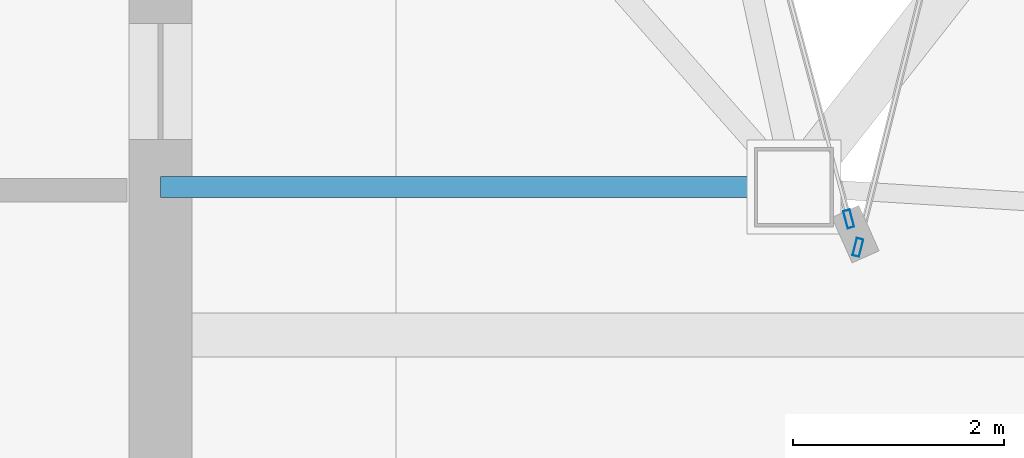
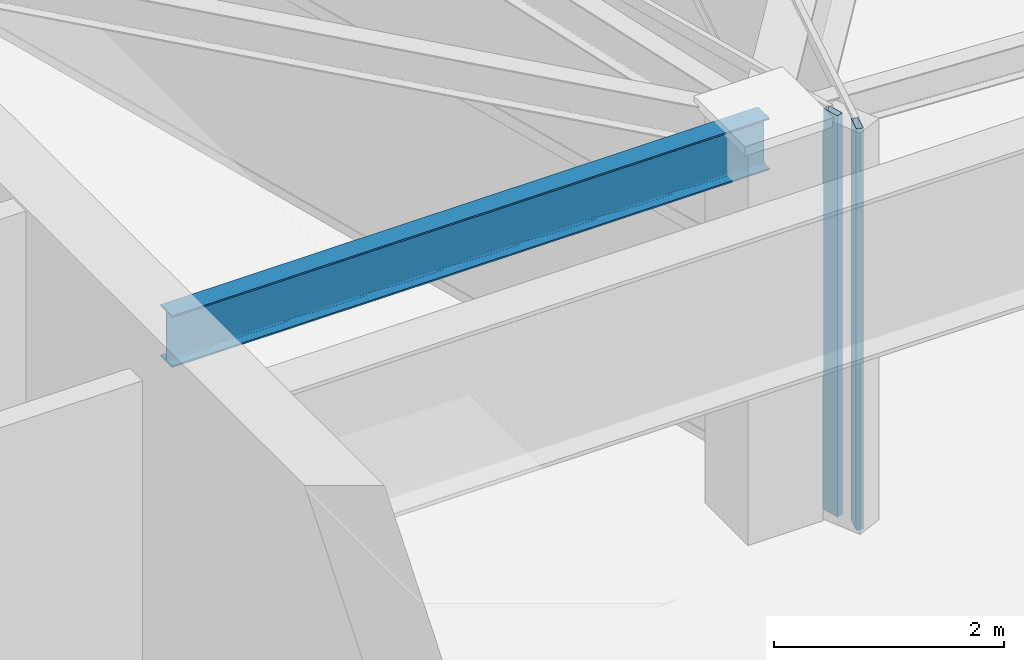
# One storey, part 10 of 25: 2 members, 1 beam, 2 elements without a shape of their own.
"""IFC4 building model written with IfcOpenShell, lengths in metres."""

from ifc_helpers import new_model, si_unit, direction, frame, origin, origin_2d, place, context, subcontext, project, spatial, hollow_rectangle, i_section, extrude, material, layer, layer_set, material_profile, profile_set, type_object, element, aggregate, save


model = new_model("IFC4")

# Units and contexts
model_context = context("Model", 3, precision=1e-05, world=origin(), true_north=direction((0.0, 1.0)))
body_context = subcontext(model_context, "Body", "Model", "MODEL_VIEW")
ifc_project = project(units=[si_unit("LENGTHUNIT", "METRE"), si_unit("AREAUNIT", "SQUARE_METRE"), si_unit("VOLUMEUNIT", "CUBIC_METRE"), si_unit("PLANEANGLEUNIT", "RADIAN"), si_unit("MASSUNIT", "GRAM", prefix="KILO")], contexts=[model_context])

# Site, building, storey
site_placement = place(None, origin())
site = spatial("IfcSite", under=ifc_project, at=site_placement, CompositionType="ELEMENT")
building_placement = place(site_placement, origin())
building = spatial("IfcBuilding", under=site, at=building_placement, Name="Calvorn Quay Hotel", CompositionType="ELEMENT")
storey_placement = place(building_placement, frame((0.0, 0.0, 316.0)))
storey = spatial("IfcBuildingStorey", under=building, at=storey_placement, Name="L78", CompositionType="ELEMENT", Elevation=316.0)

# Beam
ifc_material_1 = material(Name="Steel Q355B", Category="steel")
ifc_material_profile_1 = material_profile(ifc_material_1, i_section(OverallWidth=0.199951171875, OverallDepth=0.550048828125, WebThickness=0.010009765625, FlangeThickness=0.01611328125, FilletRadius=0.01806640625, at=origin_2d()), Name="HN550x200x10x16")
ifc_profile_set_1 = profile_set([ifc_material_profile_1], Name="Steel Q355B")
beam_type = type_object("IfcBeamType", Name="BM-GIRD-UPP", PredefinedType="BEAM", material=ifc_profile_set_1)
beam_placement = place(storey_placement, frame((21.0, 25.0, 3.965087890625), z_axis=(-1.0, 0.0, 0.0), x_axis=(0.0, -1.0, 0.0)))
element("IfcBeam", 1, at=beam_placement, inside=storey, type_object=beam_type, Name="Beam BG-L78-W7", PredefinedType="BEAM", context=body_context, shape_type="SweptSolid", body=[
    extrude(i_section(OverallWidth=0.199951171875, OverallDepth=0.550048828125, WebThickness=0.010009765625, FlangeThickness=0.01611328125, FilletRadius=0.01806640625, at=origin_2d()), origin(), (0.0, 0.0, 1.0), 6.0),
])

# Curtain wall, member
ifc_material_2 = material(Name="Champagne Bronze Anodised Aluminium and Low-E Glass", Category="aluminium")
ifc_layer = layer(ifc_material_2, 0.219970703125)
ifc_layer_set = layer_set([ifc_layer], Name="CW-SYS-Z4")
curtain_wall_type = type_object("IfcCurtainWallType", Name="CW-SYS-Z4", PredefinedType="NOTDEFINED", material=ifc_layer_set)
curtain_wall_1_placement = place(storey_placement, origin())
curtain_wall_1 = element("IfcCurtainWall", 2, at=curtain_wall_1_placement, inside=storey, type_object=curtain_wall_type, Name="Inner Court Curtain Wall L78-NE1", PredefinedType="NOTDEFINED")
ifc_material_3 = material(Name="Champagne Bronze Anodised Aluminium 6063-T6", Category="aluminium")
ifc_material_profile_2 = material_profile(ifc_material_3, hollow_rectangle(XDim=0.06494140625, YDim=0.169921875, WallThickness=0.00341796875, at=origin_2d()), Name="ALU-M170x65x3.5")
ifc_profile_set_2 = profile_set([ifc_material_profile_2], Name="Champagne Bronze Anodised Aluminium 6063-T6")
member_type = type_object("IfcMemberType", Name="CW-SYS-Z4-MUL", PredefinedType="MULLION", material=ifc_profile_set_2)
member_1_placement = place(storey_placement, frame((21.607177734375, 24.42919921875, 0.0), z_axis=(0.0, 0.0, 1.0), x_axis=(0.970142500145, -0.242535625038, 0.0)))
member_1 = element("IfcMember", 3, at=member_1_placement, type_object=member_type, Name="CW-L78-NE1 mullion 2", PredefinedType="MULLION", context=body_context, shape_type="SweptSolid", body=[
    extrude(hollow_rectangle(XDim=0.06494140625, YDim=0.169921875, WallThickness=0.00341796875, at=origin_2d()), origin(), (0.0, 0.0, 1.0), 4.260009765625),
])
aggregate(curtain_wall_1, [member_1])

curtain_wall_2_placement = place(storey_placement, origin())
curtain_wall_2 = element("IfcCurtainWall", 4, at=curtain_wall_2_placement, inside=storey, type_object=curtain_wall_type, Name="Inner Court Curtain Wall L78-IC1", PredefinedType="NOTDEFINED")
member_2_placement = place(storey_placement, frame((21.520263671875, 24.698974609375, 0.0), z_axis=(0.0, 0.0, 1.0), x_axis=(-0.96593652056, -0.25877913024, 0.0)))
member_2 = element("IfcMember", 5, at=member_2_placement, type_object=member_type, Name="CW-L78-IC1 mullion 1", PredefinedType="MULLION", context=body_context, shape_type="SweptSolid", body=[
    extrude(hollow_rectangle(XDim=0.06494140625, YDim=0.169921875, WallThickness=0.00341796875, at=origin_2d()), origin(), (0.0, 0.0, 1.0), 4.260009765625),
])
aggregate(curtain_wall_2, [member_2])

save(model, "model.ifc")
